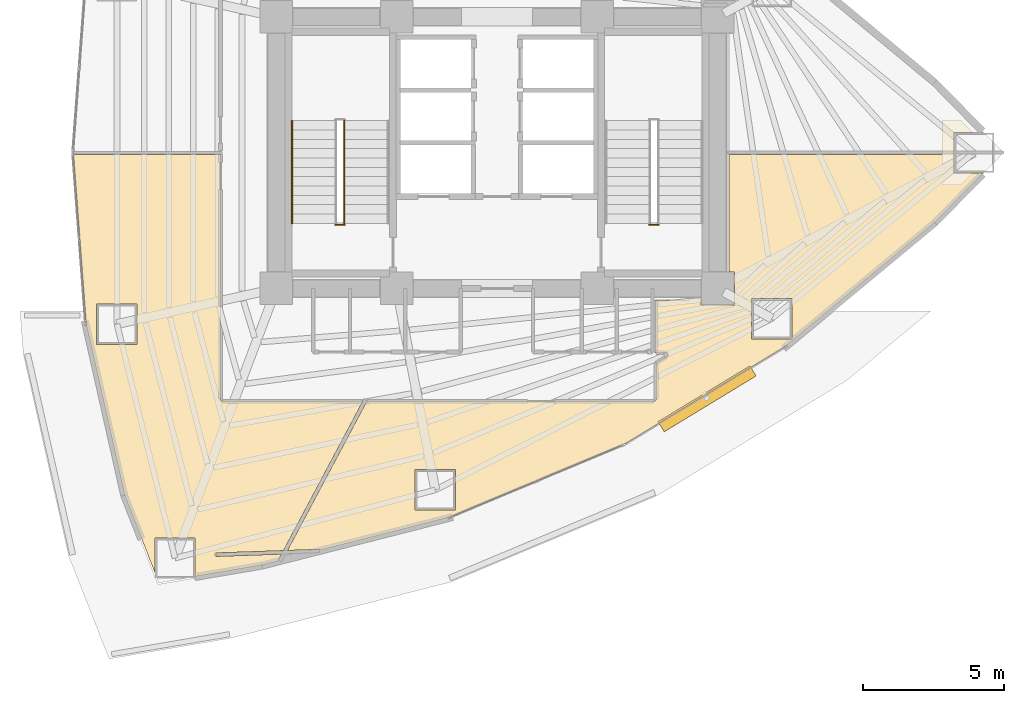
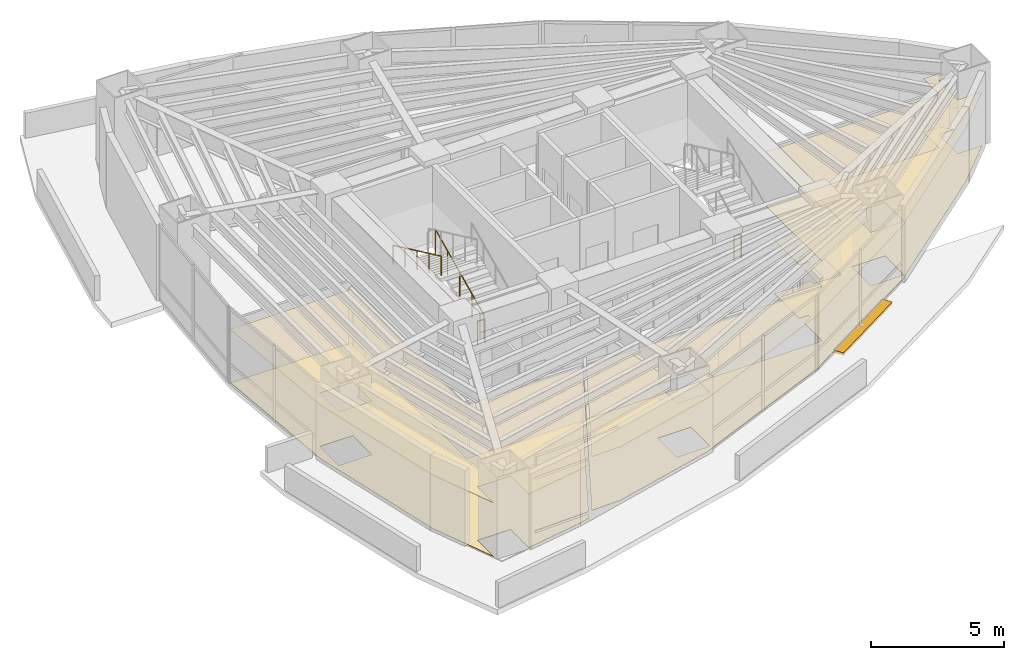
# One storey, part 16 of 17: 4 coverings, 4 railings, 1 shading device.
"""IFC4 building model written with IfcOpenShell, lengths in metres."""

from ifc_helpers import new_model, si_unit, direction, frame, origin, origin_2d, place, context, subcontext, project, spatial, polyline, rectangle, circle, outline, extrude, material, layer, layer_set, type_object, element, save


model = new_model("IFC4")

# Units and contexts
model_context = context("Model", 3, precision=1e-05, world=origin(), true_north=direction((0.0, 1.0)))
body_context = subcontext(model_context, "Body", "Model", "MODEL_VIEW")
ifc_project = project(units=[si_unit("LENGTHUNIT", "METRE"), si_unit("AREAUNIT", "SQUARE_METRE"), si_unit("VOLUMEUNIT", "CUBIC_METRE"), si_unit("PLANEANGLEUNIT", "RADIAN"), si_unit("MASSUNIT", "GRAM", prefix="KILO")], contexts=[model_context])

# Site, building, storey
site_placement = place(None, origin())
site = spatial("IfcSite", under=ifc_project, at=site_placement, CompositionType="ELEMENT")
building_placement = place(site_placement, origin())
building = spatial("IfcBuilding", under=site, at=building_placement, Name="Menara Vayukalpa", CompositionType="ELEMENT")
storey_placement = place(building_placement, frame((0.0, 0.0, 27.60009765625)))
storey = spatial("IfcBuildingStorey", under=building, at=storey_placement, Name="L05", CompositionType="ELEMENT", Elevation=27.60009765625)

# Coverings
ifc_material_1 = material(Name="Mineral Fibre Acoustic Ceiling Tile", Category="masonry")
ifc_layer_1 = layer(ifc_material_1, 0.02490234375)
ifc_layer_set_1 = layer_set([ifc_layer_1], Name="Mineral Fibre Acoustic Ceiling Tile")
covering_type_1 = type_object("IfcCoveringType", Name="COV-CLG1", PredefinedType="CEILING", material=ifc_layer_set_1)
covering_1_placement = place(storey_placement, frame((0.0, 0.0, 2.449951171875)))
element("IfcCovering", 1, at=covering_1_placement, inside=storey, type_object=covering_type_1, Name="L05 Open Plan Office Workplace Acoustic Ceiling", PredefinedType="CEILING", context=body_context, shape_type="SweptSolid", body=[
    extrude(outline(polyline([(12.4375, 9.883056640625), (12.437255859375, 9.8837890625), (12.43701171875, 9.884521484375), (11.07421875, 15.941162109375), (11.073974609375, 15.942626953125), (10.625, 21.92919921875), (10.625, 21.93017578125), (10.625, 21.93115234375), (10.625244140625, 21.93212890625), (10.62548828125, 21.93310546875), (10.625732421875, 21.93408203125), (10.626220703125, 21.934814453125), (10.626708984375, 21.935791015625), (10.627197265625, 21.936279296875), (10.6279296875, 21.93701171875), (10.628662109375, 21.937744140625), (10.62939453125, 21.9384765625), (10.63037109375, 21.93896484375), (10.631103515625, 21.939208984375), (10.632080078125, 21.939697265625), (10.633056640625, 21.939697265625), (10.634033203125, 21.93994140625), (10.635009765625, 21.93994140625), (15.820068359375, 21.93994140625), (15.821044921875, 21.93994140625), (15.822021484375, 21.939697265625), (15.822998046875, 21.939697265625), (15.82373046875, 21.939208984375), (15.82470703125, 21.938720703125), (15.82568359375, 21.938232421875), (15.826416015625, 21.937744140625), (15.8271484375, 21.93701171875), (15.82763671875, 21.936279296875), (15.828369140625, 21.935546875), (15.828857421875, 21.934814453125), (15.8291015625, 21.933837890625), (15.82958984375, 21.932861328125), (15.829833984375, 21.931884765625), (15.830078125, 21.930908203125), (15.830078125, 21.929931640625), (15.830078125, 13.290283203125), (15.830322265625, 13.283203125), (15.831298828125, 13.2763671875), (15.8330078125, 13.269775390625), (15.835205078125, 13.26318359375), (15.838134765625, 13.257080078125), (15.841796875, 13.251220703125), (15.845947265625, 13.24560546875), (15.8505859375, 13.240478515625), (15.85546875, 13.236083984375), (15.861083984375, 13.231689453125), (15.866943359375, 13.228271484375), (15.873291015625, 13.225341796875), (15.879638671875, 13.222900390625), (15.88623046875, 13.22119140625), (15.893310546875, 13.220458984375), (15.900390625, 13.219970703125), (20.846923828125, 13.219970703125), (20.847900390625, 13.219970703125), (20.848876953125, 13.2197265625), (20.849853515625, 13.219482421875), (20.850830078125, 13.21923828125), (20.851806640625, 13.21875), (20.8525390625, 13.21826171875), (20.853271484375, 13.2177734375), (20.85400390625, 13.217041015625), (20.854736328125, 13.21630859375), (20.855224609375, 13.215576171875), (20.855712890625, 13.214599609375), (20.856201171875, 13.2138671875), (20.856689453125, 13.212890625), (20.856689453125, 13.2119140625), (20.85693359375, 13.2109375), (20.85693359375, 13.2099609375), (20.85693359375, 13.208984375), (20.856689453125, 13.2080078125), (20.856689453125, 13.20703125), (20.856201171875, 13.206298828125), (20.855712890625, 13.205322265625), (18.054443359375, 7.936767578125), (18.053955078125, 7.935791015625), (18.053466796875, 7.93505859375), (18.052734375, 7.934326171875), (18.052001953125, 7.933837890625), (18.05126953125, 7.93310546875), (18.050537109375, 7.9326171875), (18.049560546875, 7.932373046875), (18.048828125, 7.931884765625), (18.0478515625, 7.931640625), (18.046875, 7.931396484375), (18.0458984375, 7.931396484375), (15.68798828125, 7.84912109375), (15.681884765625, 7.8486328125), (15.67626953125, 7.847412109375), (15.67041015625, 7.845703125), (15.6650390625, 7.84375), (15.659912109375, 7.8408203125), (15.65478515625, 7.837890625), (15.650146484375, 7.833984375), (15.64599609375, 7.830078125), (15.642333984375, 7.825439453125), (15.638916015625, 7.82080078125), (15.635986328125, 7.8154296875), (15.6337890625, 7.81005859375), (15.632080078125, 7.804443359375), (15.630615234375, 7.798583984375), (15.630126953125, 7.79296875), (15.6298828125, 7.786865234375), (15.63037109375, 7.781005859375), (15.631591796875, 7.775390625), (15.63330078125, 7.76953125), (15.63525390625, 7.76416015625), (15.63818359375, 7.7587890625), (15.64111328125, 7.754150390625), (15.64501953125, 7.74951171875), (15.64892578125, 7.7451171875), (15.653564453125, 7.741455078125), (15.658447265625, 7.738037109375), (15.66357421875, 7.735107421875), (15.6689453125, 7.73291015625), (15.674560546875, 7.731201171875), (15.680419921875, 7.72998046875), (15.686279296875, 7.729248046875), (15.6923828125, 7.72900390625), (17.969482421875, 7.80859375), (17.97021484375, 7.80859375), (17.97119140625, 7.80859375), (17.972412109375, 7.808349609375), (17.973388671875, 7.807861328125), (17.97412109375, 7.8076171875), (17.97509765625, 7.80712890625), (17.975830078125, 7.806396484375), (17.9765625, 7.805908203125), (17.977294921875, 7.80517578125), (17.977783203125, 7.80419921875), (17.978515625, 7.803466796875), (17.97900390625, 7.802490234375), (17.979248046875, 7.801513671875), (17.9794921875, 7.80078125), (17.9794921875, 7.7998046875), (17.979736328125, 7.798583984375), (17.979736328125, 7.797607421875), (17.9794921875, 7.796630859375), (17.979248046875, 7.795654296875), (17.97900390625, 7.794921875), (17.978515625, 7.7939453125), (17.86767578125, 7.585205078125), (17.864990234375, 7.57958984375), (17.863037109375, 7.57421875), (17.861572265625, 7.568603515625), (17.861572265625, 7.568359375), (17.861328125, 7.5673828125), (17.861083984375, 7.56640625), (17.860595703125, 7.5654296875), (17.860107421875, 7.564697265625), (17.859375, 7.563720703125), (17.858642578125, 7.56298828125), (17.85791015625, 7.5625), (17.857177734375, 7.561767578125), (17.856201171875, 7.561279296875), (17.855224609375, 7.560791015625), (17.854248046875, 7.560546875), (17.285888671875, 7.415771484375), (17.28515625, 7.41552734375), (14.9326171875, 7.01611328125), (14.9326171875, 8.380615234375), (13.502685546875, 8.380615234375), (13.502685546875, 7.1708984375), (12.4375, 9.883056640625)]), holes=[polyline([(12.879150390625, 16.655517578125), (11.44921875, 16.655517578125), (11.44921875, 15.225341796875), (12.879150390625, 15.225341796875), (12.879150390625, 16.655517578125)])]), origin(), (0.0, 0.0, 1.0), 0.02490234375),
])
covering_2_placement = place(storey_placement, frame((0.0, 0.0, 2.449951171875)))
element("IfcCovering", 2, at=covering_2_placement, inside=storey, type_object=covering_type_1, Name="L05 Executive Boardroom Acoustic Ceiling", PredefinedType="CEILING", context=body_context, shape_type="SweptSolid", body=[
    extrude(outline(polyline([(23.916015625, 9.106689453125), (23.914794921875, 9.106201171875), (19.385498046875, 7.951171875), (19.384521484375, 7.950927734375), (19.38330078125, 7.95068359375), (19.382568359375, 7.95068359375), (19.381591796875, 7.950927734375), (19.380615234375, 7.951171875), (19.379638671875, 7.951416015625), (19.378662109375, 7.95166015625), (19.377685546875, 7.9521484375), (19.376953125, 7.95263671875), (19.376220703125, 7.953369140625), (19.37548828125, 7.9541015625), (19.375, 7.954833984375), (19.3740234375, 7.955810546875), (19.3701171875, 7.960205078125), (19.365478515625, 7.9638671875), (19.360595703125, 7.96728515625), (19.355712890625, 7.969970703125), (19.35009765625, 7.972412109375), (19.344482421875, 7.97412109375), (19.3388671875, 7.975341796875), (19.3330078125, 7.97607421875), (19.326904296875, 7.97607421875), (18.20751953125, 7.93701171875), (18.20654296875, 7.93701171875), (18.20556640625, 7.93701171875), (18.20458984375, 7.937255859375), (18.20361328125, 7.937744140625), (18.20263671875, 7.93798828125), (18.201904296875, 7.9384765625), (18.200927734375, 7.939208984375), (18.2001953125, 7.939697265625), (18.19970703125, 7.9404296875), (18.198974609375, 7.94140625), (18.198486328125, 7.942138671875), (18.197998046875, 7.943115234375), (18.19775390625, 7.944091796875), (18.197509765625, 7.94482421875), (18.197265625, 7.94580078125), (18.197265625, 7.947021484375), (18.197265625, 7.947998046875), (18.197509765625, 7.948974609375), (18.197509765625, 7.949951171875), (18.197998046875, 7.95068359375), (18.198486328125, 7.95166015625), (20.996826171875, 13.214599609375), (20.997314453125, 13.215576171875), (20.997802734375, 13.21630859375), (20.99853515625, 13.217041015625), (20.999267578125, 13.2177734375), (21.0, 13.21826171875), (21.0009765625, 13.21875), (21.001708984375, 13.21923828125), (21.002685546875, 13.219482421875), (21.003662109375, 13.2197265625), (21.004638671875, 13.219970703125), (21.005615234375, 13.219970703125), (31.149658203125, 13.219970703125), (31.15673828125, 13.220458984375), (31.163818359375, 13.22119140625), (31.17041015625, 13.222900390625), (31.1767578125, 13.225341796875), (31.18310546875, 13.228271484375), (31.188720703125, 13.231689453125), (31.194580078125, 13.236083984375), (31.199462890625, 13.240478515625), (31.2041015625, 13.24560546875), (31.208251953125, 13.251220703125), (31.2119140625, 13.257080078125), (31.214599609375, 13.26318359375), (31.217041015625, 13.269775390625), (31.21875, 13.2763671875), (31.219482421875, 13.283203125), (31.219970703125, 13.290283203125), (31.219970703125, 14.55810546875), (31.22021484375, 14.55908203125), (31.22021484375, 14.56005859375), (31.220458984375, 14.56103515625), (31.220703125, 14.56201171875), (31.22119140625, 14.56298828125), (31.2216796875, 14.563720703125), (31.222412109375, 14.564697265625), (31.22314453125, 14.565185546875), (31.22412109375, 14.56591796875), (31.224853515625, 14.56640625), (31.5927734375, 14.7900390625), (31.5986328125, 14.794189453125), (31.60400390625, 14.798583984375), (31.60888671875, 14.803466796875), (31.61328125, 14.80908203125), (31.6171875, 14.81494140625), (31.620361328125, 14.821044921875), (31.622802734375, 14.82763671875), (31.624755859375, 14.83447265625), (31.626220703125, 14.84130859375), (31.626708984375, 14.84814453125), (31.62646484375, 14.85498046875), (31.62548828125, 14.862060546875), (31.6240234375, 14.868896484375), (31.621826171875, 14.87548828125), (31.618896484375, 14.8818359375), (31.615478515625, 14.887939453125), (31.611328125, 14.8935546875), (31.606689453125, 14.898681640625), (31.6015625, 14.903564453125), (31.59619140625, 14.90771484375), (31.590087890625, 14.911376953125), (31.583740234375, 14.91455078125), (31.5771484375, 14.916748046875), (31.570556640625, 14.918701171875), (31.563720703125, 14.919677734375), (31.556396484375, 14.919921875), (31.219970703125, 14.919921875), (31.218994140625, 14.919921875), (31.218017578125, 14.920166015625), (31.217041015625, 14.92041015625), (31.21630859375, 14.9208984375), (31.21533203125, 14.921142578125), (31.21435546875, 14.921630859375), (31.213623046875, 14.92236328125), (31.212890625, 14.9228515625), (31.21240234375, 14.923583984375), (31.211669921875, 14.92431640625), (31.211181640625, 14.92529296875), (31.210693359375, 14.92626953125), (31.21044921875, 14.927001953125), (31.210205078125, 14.927978515625), (31.2099609375, 14.928955078125), (31.2099609375, 14.929931640625), (31.2099609375, 16.780029296875), (31.2099609375, 16.781005859375), (31.210205078125, 16.781982421875), (31.21044921875, 16.782958984375), (31.210693359375, 16.78369140625), (31.211181640625, 16.78466796875), (31.211669921875, 16.78564453125), (31.21240234375, 16.786376953125), (31.212890625, 16.787109375), (31.213623046875, 16.78759765625), (31.21435546875, 16.788330078125), (31.21533203125, 16.788818359375), (31.21630859375, 16.789306640625), (31.217041015625, 16.78955078125), (31.218017578125, 16.789794921875), (31.218994140625, 16.7900390625), (31.219970703125, 16.7900390625), (32.389892578125, 16.7900390625), (32.389892578125, 16.85009765625), (32.81005859375, 16.85009765625), (32.81005859375, 16.610107421875), (33.989990234375, 16.610107421875), (33.989990234375, 17.7900390625), (33.81005859375, 17.7900390625), (33.81005859375, 21.929931640625), (33.81005859375, 21.930908203125), (33.810302734375, 21.931884765625), (33.810302734375, 21.932861328125), (33.810791015625, 21.933837890625), (33.811279296875, 21.934814453125), (33.811767578125, 21.935546875), (33.812255859375, 21.936279296875), (33.81298828125, 21.93701171875), (33.813720703125, 21.937744140625), (33.814453125, 21.938232421875), (33.815185546875, 21.938720703125), (33.816162109375, 21.939208984375), (33.817138671875, 21.939697265625), (33.818115234375, 21.939697265625), (33.819091796875, 21.93994140625), (33.820068359375, 21.93994140625), (41.329833984375, 21.93994140625), (41.329833984375, 23.135009765625), (42.008056640625, 23.135009765625), (42.42041015625, 22.715087890625), (41.749755859375, 22.715087890625), (41.749755859375, 21.284912109375), (42.798828125, 21.284912109375), (41.078369140625, 19.53271484375), (41.07763671875, 19.531982421875), (35.81201171875, 15.165283203125), (35.810791015625, 15.164306640625), (30.09130859375, 11.68994140625), (30.090576171875, 11.689697265625), (30.08984375, 11.689208984375), (23.916015625, 9.106689453125)]), holes=[polyline([(24.134521484375, 10.792236328125), (22.704345703125, 10.792236328125), (22.704345703125, 9.3623046875), (24.134521484375, 9.3623046875), (24.134521484375, 10.792236328125)]), polyline([(36.032958984375, 16.851806640625), (34.60302734375, 16.851806640625), (34.60302734375, 15.421875), (36.032958984375, 15.421875), (36.032958984375, 16.851806640625)])]), origin(), (0.0, 0.0, 1.0), 0.02490234375),
])
ifc_material_2 = material(Name="Porcelain Stoneware Floor Tile", Category="masonry")
ifc_layer_2 = layer(ifc_material_2, 0.02001953125)
ifc_layer_set_2 = layer_set([ifc_layer_2], Name="Porcelain Stoneware Floor Tile")
covering_type_2 = type_object("IfcCoveringType", Name="COV-FLR1", PredefinedType="FLOORING", material=ifc_layer_set_2)
covering_3_placement = place(storey_placement, origin())
element("IfcCovering", 3, at=covering_3_placement, inside=storey, type_object=covering_type_2, Name="L05 Open Plan Office Workplace Porcelain Flooring", PredefinedType="FLOORING", context=body_context, shape_type="SweptSolid", body=[
    extrude(outline(polyline([(12.4375, 9.883056640625), (12.437255859375, 9.8837890625), (12.43701171875, 9.884521484375), (11.07421875, 15.941162109375), (11.073974609375, 15.942626953125), (10.625, 21.92919921875), (10.625, 21.93017578125), (10.625, 21.93115234375), (10.625244140625, 21.93212890625), (10.62548828125, 21.93310546875), (10.625732421875, 21.93408203125), (10.626220703125, 21.934814453125), (10.626708984375, 21.935791015625), (10.627197265625, 21.936279296875), (10.6279296875, 21.93701171875), (10.628662109375, 21.937744140625), (10.62939453125, 21.9384765625), (10.63037109375, 21.93896484375), (10.631103515625, 21.939208984375), (10.632080078125, 21.939697265625), (10.633056640625, 21.939697265625), (10.634033203125, 21.93994140625), (10.635009765625, 21.93994140625), (15.820068359375, 21.93994140625), (15.821044921875, 21.93994140625), (15.822021484375, 21.939697265625), (15.822998046875, 21.939697265625), (15.82373046875, 21.939208984375), (15.82470703125, 21.938720703125), (15.82568359375, 21.938232421875), (15.826416015625, 21.937744140625), (15.8271484375, 21.93701171875), (15.82763671875, 21.936279296875), (15.828369140625, 21.935546875), (15.828857421875, 21.934814453125), (15.8291015625, 21.933837890625), (15.82958984375, 21.932861328125), (15.829833984375, 21.931884765625), (15.830078125, 21.930908203125), (15.830078125, 21.929931640625), (15.830078125, 13.290283203125), (15.830322265625, 13.283203125), (15.831298828125, 13.2763671875), (15.8330078125, 13.269775390625), (15.835205078125, 13.26318359375), (15.838134765625, 13.257080078125), (15.841796875, 13.251220703125), (15.845947265625, 13.24560546875), (15.8505859375, 13.240478515625), (15.85546875, 13.236083984375), (15.861083984375, 13.231689453125), (15.866943359375, 13.228271484375), (15.873291015625, 13.225341796875), (15.879638671875, 13.222900390625), (15.88623046875, 13.22119140625), (15.893310546875, 13.220458984375), (15.900390625, 13.219970703125), (20.846923828125, 13.219970703125), (20.847900390625, 13.219970703125), (20.848876953125, 13.2197265625), (20.849853515625, 13.219482421875), (20.850830078125, 13.21923828125), (20.851806640625, 13.21875), (20.8525390625, 13.21826171875), (20.853271484375, 13.2177734375), (20.85400390625, 13.217041015625), (20.854736328125, 13.21630859375), (20.855224609375, 13.215576171875), (20.855712890625, 13.214599609375), (20.856201171875, 13.2138671875), (20.856689453125, 13.212890625), (20.856689453125, 13.2119140625), (20.85693359375, 13.2109375), (20.85693359375, 13.2099609375), (20.85693359375, 13.208984375), (20.856689453125, 13.2080078125), (20.856689453125, 13.20703125), (20.856201171875, 13.206298828125), (20.855712890625, 13.205322265625), (18.054443359375, 7.936767578125), (18.053955078125, 7.935791015625), (18.053466796875, 7.93505859375), (18.052734375, 7.934326171875), (18.052001953125, 7.933837890625), (18.05126953125, 7.93310546875), (18.050537109375, 7.9326171875), (18.049560546875, 7.932373046875), (18.048828125, 7.931884765625), (18.0478515625, 7.931640625), (18.046875, 7.931396484375), (18.0458984375, 7.931396484375), (15.68798828125, 7.84912109375), (15.681884765625, 7.8486328125), (15.67626953125, 7.847412109375), (15.67041015625, 7.845703125), (15.6650390625, 7.84375), (15.659912109375, 7.8408203125), (15.65478515625, 7.837890625), (15.650146484375, 7.833984375), (15.64599609375, 7.830078125), (15.642333984375, 7.825439453125), (15.638916015625, 7.82080078125), (15.635986328125, 7.8154296875), (15.6337890625, 7.81005859375), (15.632080078125, 7.804443359375), (15.630615234375, 7.798583984375), (15.630126953125, 7.79296875), (15.6298828125, 7.786865234375), (15.63037109375, 7.781005859375), (15.631591796875, 7.775390625), (15.63330078125, 7.76953125), (15.63525390625, 7.76416015625), (15.63818359375, 7.7587890625), (15.64111328125, 7.754150390625), (15.64501953125, 7.74951171875), (15.64892578125, 7.7451171875), (15.653564453125, 7.741455078125), (15.658447265625, 7.738037109375), (15.66357421875, 7.735107421875), (15.6689453125, 7.73291015625), (15.674560546875, 7.731201171875), (15.680419921875, 7.72998046875), (15.686279296875, 7.729248046875), (15.6923828125, 7.72900390625), (17.969482421875, 7.80859375), (17.97021484375, 7.80859375), (17.97119140625, 7.80859375), (17.972412109375, 7.808349609375), (17.973388671875, 7.807861328125), (17.97412109375, 7.8076171875), (17.97509765625, 7.80712890625), (17.975830078125, 7.806396484375), (17.9765625, 7.805908203125), (17.977294921875, 7.80517578125), (17.977783203125, 7.80419921875), (17.978515625, 7.803466796875), (17.97900390625, 7.802490234375), (17.979248046875, 7.801513671875), (17.9794921875, 7.80078125), (17.9794921875, 7.7998046875), (17.979736328125, 7.798583984375), (17.979736328125, 7.797607421875), (17.9794921875, 7.796630859375), (17.979248046875, 7.795654296875), (17.97900390625, 7.794921875), (17.978515625, 7.7939453125), (17.86767578125, 7.585205078125), (17.864990234375, 7.57958984375), (17.863037109375, 7.57421875), (17.861572265625, 7.568603515625), (17.861572265625, 7.568359375), (17.861328125, 7.5673828125), (17.861083984375, 7.56640625), (17.860595703125, 7.5654296875), (17.860107421875, 7.564697265625), (17.859375, 7.563720703125), (17.858642578125, 7.56298828125), (17.85791015625, 7.5625), (17.857177734375, 7.561767578125), (17.856201171875, 7.561279296875), (17.855224609375, 7.560791015625), (17.854248046875, 7.560546875), (17.285888671875, 7.415771484375), (17.28515625, 7.41552734375), (14.9326171875, 7.01611328125), (14.9326171875, 8.380615234375), (13.502685546875, 8.380615234375), (13.502685546875, 7.1708984375), (12.4375, 9.883056640625)]), holes=[polyline([(12.879150390625, 16.655517578125), (11.44921875, 16.655517578125), (11.44921875, 15.225341796875), (12.879150390625, 15.225341796875), (12.879150390625, 16.655517578125)])]), origin(), (0.0, 0.0, 1.0), 0.02001953125),
])
covering_4_placement = place(storey_placement, origin())
element("IfcCovering", 4, at=covering_4_placement, inside=storey, type_object=covering_type_2, Name="L05 Executive Boardroom Porcelain Flooring", PredefinedType="FLOORING", context=body_context, shape_type="SweptSolid", body=[
    extrude(outline(polyline([(23.916015625, 9.106689453125), (23.914794921875, 9.106201171875), (19.385498046875, 7.951171875), (19.384521484375, 7.950927734375), (19.38330078125, 7.95068359375), (19.382568359375, 7.95068359375), (19.381591796875, 7.950927734375), (19.380615234375, 7.951171875), (19.379638671875, 7.951416015625), (19.378662109375, 7.95166015625), (19.377685546875, 7.9521484375), (19.376953125, 7.95263671875), (19.376220703125, 7.953369140625), (19.37548828125, 7.9541015625), (19.375, 7.954833984375), (19.3740234375, 7.955810546875), (19.3701171875, 7.960205078125), (19.365478515625, 7.9638671875), (19.360595703125, 7.96728515625), (19.355712890625, 7.969970703125), (19.35009765625, 7.972412109375), (19.344482421875, 7.97412109375), (19.3388671875, 7.975341796875), (19.3330078125, 7.97607421875), (19.326904296875, 7.97607421875), (18.20751953125, 7.93701171875), (18.20654296875, 7.93701171875), (18.20556640625, 7.93701171875), (18.20458984375, 7.937255859375), (18.20361328125, 7.937744140625), (18.20263671875, 7.93798828125), (18.201904296875, 7.9384765625), (18.200927734375, 7.939208984375), (18.2001953125, 7.939697265625), (18.19970703125, 7.9404296875), (18.198974609375, 7.94140625), (18.198486328125, 7.942138671875), (18.197998046875, 7.943115234375), (18.19775390625, 7.944091796875), (18.197509765625, 7.94482421875), (18.197265625, 7.94580078125), (18.197265625, 7.947021484375), (18.197265625, 7.947998046875), (18.197509765625, 7.948974609375), (18.197509765625, 7.949951171875), (18.197998046875, 7.95068359375), (18.198486328125, 7.95166015625), (20.996826171875, 13.214599609375), (20.997314453125, 13.215576171875), (20.997802734375, 13.21630859375), (20.99853515625, 13.217041015625), (20.999267578125, 13.2177734375), (21.0, 13.21826171875), (21.0009765625, 13.21875), (21.001708984375, 13.21923828125), (21.002685546875, 13.219482421875), (21.003662109375, 13.2197265625), (21.004638671875, 13.219970703125), (21.005615234375, 13.219970703125), (31.149658203125, 13.219970703125), (31.15673828125, 13.220458984375), (31.163818359375, 13.22119140625), (31.17041015625, 13.222900390625), (31.1767578125, 13.225341796875), (31.18310546875, 13.228271484375), (31.188720703125, 13.231689453125), (31.194580078125, 13.236083984375), (31.199462890625, 13.240478515625), (31.2041015625, 13.24560546875), (31.208251953125, 13.251220703125), (31.2119140625, 13.257080078125), (31.214599609375, 13.26318359375), (31.217041015625, 13.269775390625), (31.21875, 13.2763671875), (31.219482421875, 13.283203125), (31.219970703125, 13.290283203125), (31.219970703125, 14.55810546875), (31.22021484375, 14.55908203125), (31.22021484375, 14.56005859375), (31.220458984375, 14.56103515625), (31.220703125, 14.56201171875), (31.22119140625, 14.56298828125), (31.2216796875, 14.563720703125), (31.222412109375, 14.564697265625), (31.22314453125, 14.565185546875), (31.22412109375, 14.56591796875), (31.224853515625, 14.56640625), (31.5927734375, 14.7900390625), (31.5986328125, 14.794189453125), (31.60400390625, 14.798583984375), (31.60888671875, 14.803466796875), (31.61328125, 14.80908203125), (31.6171875, 14.81494140625), (31.620361328125, 14.821044921875), (31.622802734375, 14.82763671875), (31.624755859375, 14.83447265625), (31.626220703125, 14.84130859375), (31.626708984375, 14.84814453125), (31.62646484375, 14.85498046875), (31.62548828125, 14.862060546875), (31.6240234375, 14.868896484375), (31.621826171875, 14.87548828125), (31.618896484375, 14.8818359375), (31.615478515625, 14.887939453125), (31.611328125, 14.8935546875), (31.606689453125, 14.898681640625), (31.6015625, 14.903564453125), (31.59619140625, 14.90771484375), (31.590087890625, 14.911376953125), (31.583740234375, 14.91455078125), (31.5771484375, 14.916748046875), (31.570556640625, 14.918701171875), (31.563720703125, 14.919677734375), (31.556396484375, 14.919921875), (31.219970703125, 14.919921875), (31.218994140625, 14.919921875), (31.218017578125, 14.920166015625), (31.217041015625, 14.92041015625), (31.21630859375, 14.9208984375), (31.21533203125, 14.921142578125), (31.21435546875, 14.921630859375), (31.213623046875, 14.92236328125), (31.212890625, 14.9228515625), (31.21240234375, 14.923583984375), (31.211669921875, 14.92431640625), (31.211181640625, 14.92529296875), (31.210693359375, 14.92626953125), (31.21044921875, 14.927001953125), (31.210205078125, 14.927978515625), (31.2099609375, 14.928955078125), (31.2099609375, 14.929931640625), (31.2099609375, 16.780029296875), (31.2099609375, 16.781005859375), (31.210205078125, 16.781982421875), (31.21044921875, 16.782958984375), (31.210693359375, 16.78369140625), (31.211181640625, 16.78466796875), (31.211669921875, 16.78564453125), (31.21240234375, 16.786376953125), (31.212890625, 16.787109375), (31.213623046875, 16.78759765625), (31.21435546875, 16.788330078125), (31.21533203125, 16.788818359375), (31.21630859375, 16.789306640625), (31.217041015625, 16.78955078125), (31.218017578125, 16.789794921875), (31.218994140625, 16.7900390625), (31.219970703125, 16.7900390625), (32.389892578125, 16.7900390625), (32.389892578125, 16.85009765625), (32.81005859375, 16.85009765625), (32.81005859375, 16.610107421875), (33.989990234375, 16.610107421875), (33.989990234375, 17.7900390625), (33.81005859375, 17.7900390625), (33.81005859375, 21.929931640625), (33.81005859375, 21.930908203125), (33.810302734375, 21.931884765625), (33.810302734375, 21.932861328125), (33.810791015625, 21.933837890625), (33.811279296875, 21.934814453125), (33.811767578125, 21.935546875), (33.812255859375, 21.936279296875), (33.81298828125, 21.93701171875), (33.813720703125, 21.937744140625), (33.814453125, 21.938232421875), (33.815185546875, 21.938720703125), (33.816162109375, 21.939208984375), (33.817138671875, 21.939697265625), (33.818115234375, 21.939697265625), (33.819091796875, 21.93994140625), (33.820068359375, 21.93994140625), (41.329833984375, 21.93994140625), (41.329833984375, 23.135009765625), (42.008056640625, 23.135009765625), (42.42041015625, 22.715087890625), (41.749755859375, 22.715087890625), (41.749755859375, 21.284912109375), (42.798828125, 21.284912109375), (41.078369140625, 19.53271484375), (41.07763671875, 19.531982421875), (35.81201171875, 15.165283203125), (35.810791015625, 15.164306640625), (30.09130859375, 11.68994140625), (30.090576171875, 11.689697265625), (30.08984375, 11.689208984375), (23.916015625, 9.106689453125)]), holes=[polyline([(24.134521484375, 10.792236328125), (22.704345703125, 10.792236328125), (22.704345703125, 9.3623046875), (24.134521484375, 9.3623046875), (24.134521484375, 10.792236328125)]), polyline([(36.032958984375, 16.851806640625), (34.60302734375, 16.851806640625), (34.60302734375, 15.421875), (36.032958984375, 15.421875), (36.032958984375, 16.851806640625)])]), origin(), (0.0, 0.0, 1.0), 0.02001953125),
])

# Railings
ifc_material_3 = material(Name="Powder-Coated Galvanised Steel Guardrail", Category="steel")
railing_type_1 = type_object("IfcRailingType", Name="RLG-STG110", PredefinedType="GUARDRAIL", material=ifc_material_3)
railing_1_placement = place(storey_placement, frame((20.199951171875, 19.5, 0.15478515625)))
element("IfcRailing", 5, at=railing_1_placement, inside=storey, type_object=railing_type_1, Name="L05 ST-1 stair guard 1", PredefinedType="GUARDRAIL", context=body_context, shape_type="SweptSolid", body=[
    extrude(circle(Radius=0.02392578125, at=origin_2d()), frame((0.0, 0.0, 1.09619140625), z_axis=(0.0, 0.90511648382, 0.425163675209), x_axis=(-1.0, 0.0, 0.0)), (0.0, 0.0, 1.0), 4.010498046875),
    extrude(circle(Radius=0.02099609375, at=origin_2d()), origin(), (0.0, 0.0, 1.0), 1.072021484375),
    extrude(circle(Radius=0.02099609375, at=origin_2d()), frame((0.0, 0.907470703125, 0.42626953125)), (0.0, 0.0, 1.0), 1.072021484375),
    extrude(circle(Radius=0.02099609375, at=origin_2d()), frame((0.0, 1.81494140625, 0.8525390625)), (0.0, 0.0, 1.0), 1.072021484375),
    extrude(circle(Radius=0.02099609375, at=origin_2d()), frame((0.0, 2.722412109375, 1.27880859375)), (0.0, 0.0, 1.0), 1.072021484375),
    extrude(circle(Radius=0.02099609375, at=origin_2d()), frame((0.0, 3.6298828125, 1.705078125)), (0.0, 0.0, 1.0), 1.072021484375),
])
for number, where, name in (
    (6, (20.2099609375, 19.449951171875, 0.0), "L05 ST-1 stair guard 4"),
    (7, (31.31005859375, 19.449951171875, 0.0), "L05 ST-2 stair guard 4"),
):
    element("IfcRailing", number, at=place(storey_placement, frame(where)), inside=storey, type_object=railing_type_1, Name=name, PredefinedType="GUARDRAIL", context=body_context, shape_type="SweptSolid", body=[
        extrude(circle(Radius=0.02392578125, at=origin_2d()), frame((0.0, 0.0, 1.09619140625), z_axis=(-1.0, 0.0, 0.0), x_axis=(0.0, -1.0, 0.0)), (0.0, 0.0, 1.0), 0.320068359375),
        extrude(circle(Radius=0.02099609375, at=origin_2d()), origin(), (0.0, 0.0, 1.0), 1.072021484375),
        extrude(circle(Radius=0.02099609375, at=origin_2d()), frame((-0.320068359375, 0.0, 0.0)), (0.0, 0.0, 1.0), 1.072021484375),
    ])
ifc_material_4 = material(Name="Stainless Steel 316 Tubular Handrail", Category="steel")
railing_type_2 = type_object("IfcRailingType", Name="RLG-STH090", PredefinedType="HANDRAIL", material=ifc_material_4)
railing_2_placement = place(storey_placement, frame((18.35009765625, 23.1298828125, 2.014892578125)))
element("IfcRailing", 8, at=railing_2_placement, inside=storey, type_object=railing_type_2, Name="L05 ST-1 stair handrail 2", PredefinedType="HANDRAIL", context=body_context, shape_type="SweptSolid", body=[
    extrude(circle(Radius=0.02392578125, at=origin_2d()), frame((0.0, 0.0, 0.8759765625), z_axis=(0.0, -0.90511648382, 0.425163675209), x_axis=(1.0, 0.0, 0.0)), (0.0, 0.0, 1.0), 4.010498046875),
    extrude(circle(Radius=0.02099609375, at=origin_2d()), origin(), (0.0, 0.0, 1.0), 0.851806640625),
    extrude(circle(Radius=0.02099609375, at=origin_2d()), frame((0.0, -0.907470703125, 0.42626953125)), (0.0, 0.0, 1.0), 0.851806640625),
    extrude(circle(Radius=0.02099609375, at=origin_2d()), frame((0.0, -1.81494140625, 0.8525390625)), (0.0, 0.0, 1.0), 0.851806640625),
    extrude(circle(Radius=0.02099609375, at=origin_2d()), frame((0.0, -2.722412109375, 1.27880859375)), (0.0, 0.0, 1.0), 0.851806640625),
    extrude(circle(Radius=0.02099609375, at=origin_2d()), frame((0.0, -3.6298828125, 1.705078125)), (0.0, 0.0, 1.0), 0.851806640625),
])

# Shading device
ifc_material_5 = material(Name="Glazed Terracotta Ceramic Baguette Extrusion", Category="masonry")
ifc_layer_3 = layer(ifc_material_5, 0.1201171875)
ifc_layer_set_3 = layer_set([ifc_layer_3], Name="Glazed Terracotta Ceramic Baguette Extrusion")
shading_device_type = type_object("IfcShadingDeviceType", Name="SHD-SS1", PredefinedType="USERDEFINED", material=ifc_layer_set_3)
shading_device_placement = place(storey_placement, frame((33.02880859375, 13.298828125, -0.10009765625), z_axis=(0.0, 0.0, 1.0), x_axis=(0.85466730962, 0.519176068272, 0.0)))
element("IfcShadingDevice", 9, at=shading_device_placement, inside=storey, type_object=shading_device_type, Name="L05 Horizontal Terracotta Sunshade Band 17", ObjectType="SUNSHADE", PredefinedType="USERDEFINED", context=body_context, shape_type="SweptSolid", body=[
    extrude(rectangle(XDim=3.800048828125, YDim=0.419921875, at=origin_2d()), origin(), (0.0, 0.0, 1.0), 0.1201171875),
])

save(model, "model.ifc")
